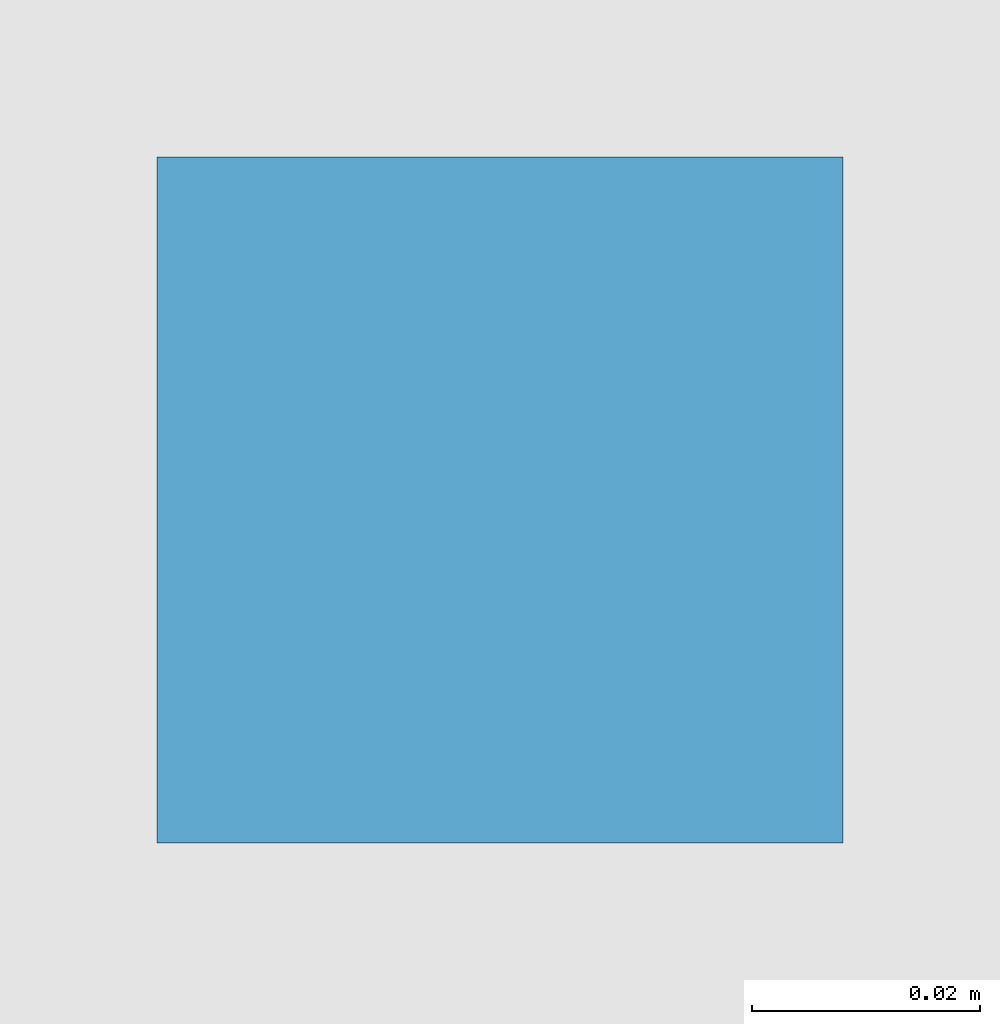
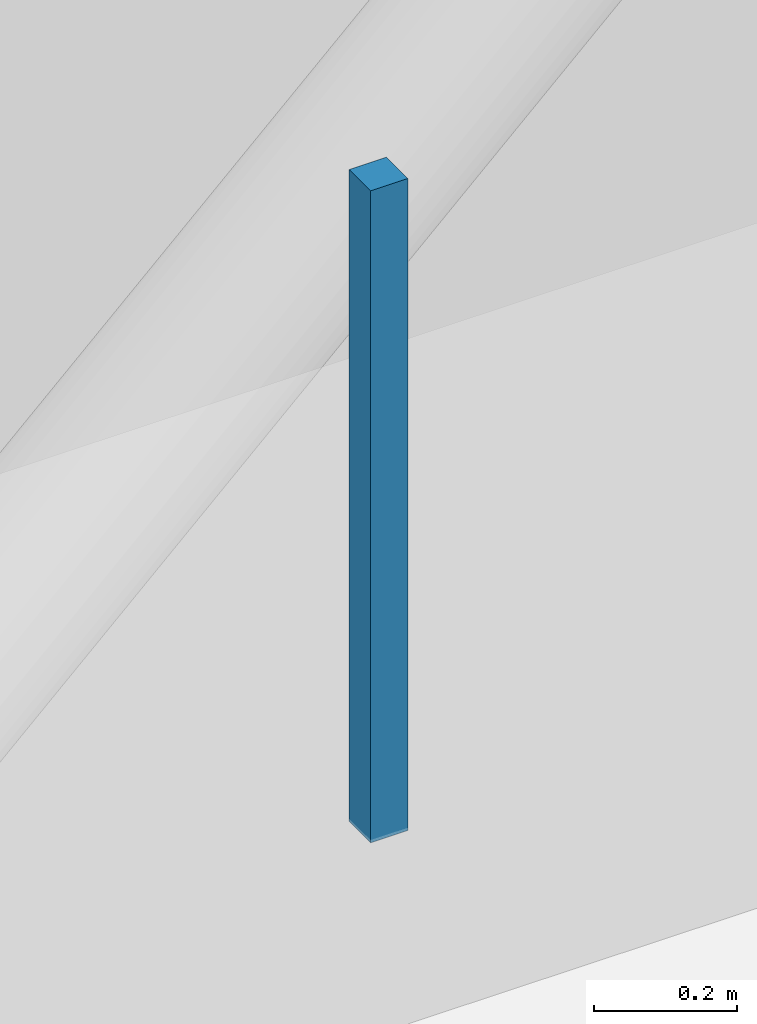
# One storey, part 112 of 139: 1 discrete accessory.
"""IFC4 building model written with IfcOpenShell, lengths in metres."""

from ifc_helpers import new_model, si_unit, derived_unit, direction, frame, origin, origin_2d, place, context, subcontext, project, spatial, rectangle, extrude, material, layer, layer_set, type_object, element, save


model = new_model("IFC4")

# Units and contexts
model_context = context("Model", 3, precision=1e-05, world=origin(), true_north=direction((0.0, 1.0)))
body_context = subcontext(model_context, "Body", "Model", "MODEL_VIEW")
ifc_project = project(units=[si_unit("LENGTHUNIT", "METRE"), si_unit("AREAUNIT", "SQUARE_METRE"), si_unit("VOLUMEUNIT", "CUBIC_METRE"), si_unit("PLANEANGLEUNIT", "RADIAN"), si_unit("MASSUNIT", "GRAM", prefix="KILO"), derived_unit("THERMALTRANSMITTANCEUNIT", [(si_unit("MASSUNIT", "GRAM", prefix="KILO"), 1), (si_unit("TIMEUNIT", "SECOND"), -3), (si_unit("THERMODYNAMICTEMPERATUREUNIT", "KELVIN"), -1)])], contexts=[model_context])

# Site, building, storey
site_placement = place(None, origin())
site = spatial("IfcSite", under=ifc_project, at=site_placement, CompositionType="ELEMENT")
building_placement = place(site_placement, origin())
building = spatial("IfcBuilding", under=site, at=building_placement, Name="Makaiwela Harbour Ferry Terminal", CompositionType="ELEMENT")
storey_placement = place(building_placement, frame((0.0, 0.0, 5.10009765625)))
storey = spatial("IfcBuildingStorey", under=building, at=storey_placement, Name="L01", CompositionType="ELEMENT", Elevation=5.10009765625)

# Discrete accessory
ifc_material = material(Name="Marine grade 316L brushed stainless steel", Category="steel")
ifc_layer = layer(ifc_material, 1.0)
ifc_layer_set = layer_set([ifc_layer], Name="Marine grade 316L brushed stainless steel")
discrete_accessory_type = type_object("IfcDiscreteAccessoryType", Name="INT-ACC-HNG", PredefinedType="BRACKET", material=ifc_layer_set)
discrete_accessory_placement = place(storey_placement, frame((63.050048828125, 46.300048828125, 3.134765625), z_axis=(0.0, 0.0, 1.0), x_axis=(1.0, 0.0, 0.0)))
element("IfcDiscreteAccessory", 1, at=discrete_accessory_placement, inside=storey, type_object=discrete_accessory_type, Name="Ceiling Suspension Bracket HNG-035", PredefinedType="BRACKET", context=body_context, shape_type="SweptSolid", body=[
    extrude(rectangle(XDim=0.06005859375, YDim=0.06005859375, at=origin_2d()), origin(), (0.0, 0.0, 1.0), 1.110107421875),
])

save(model, "model.ifc")
